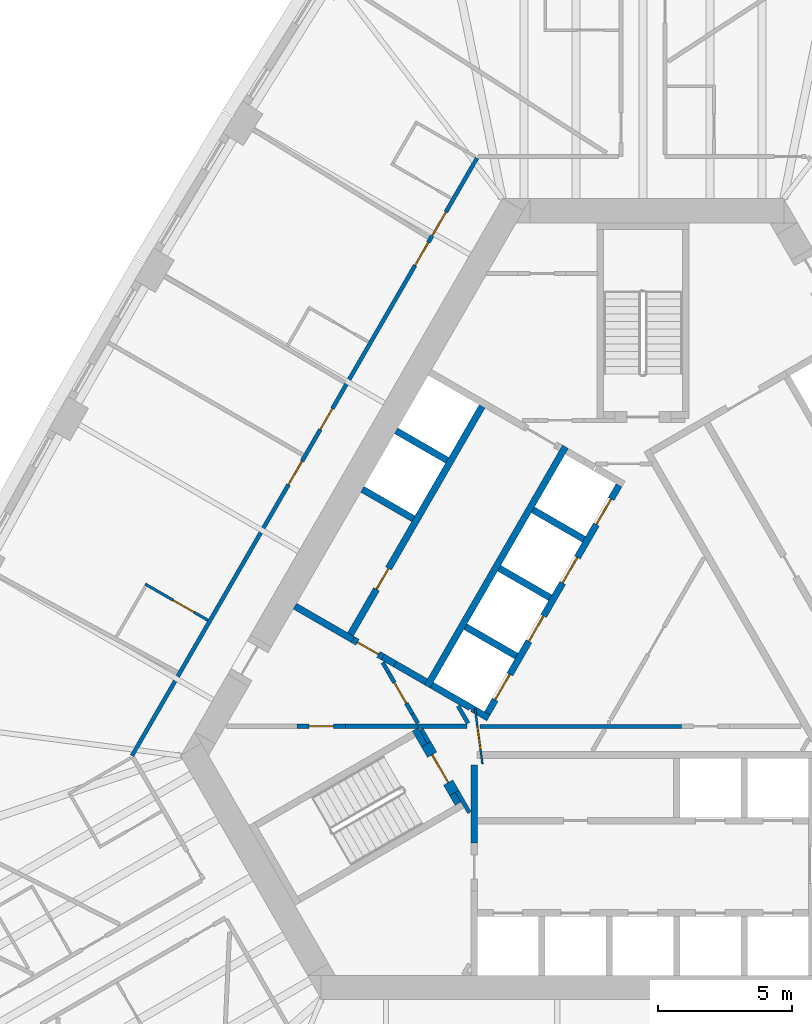
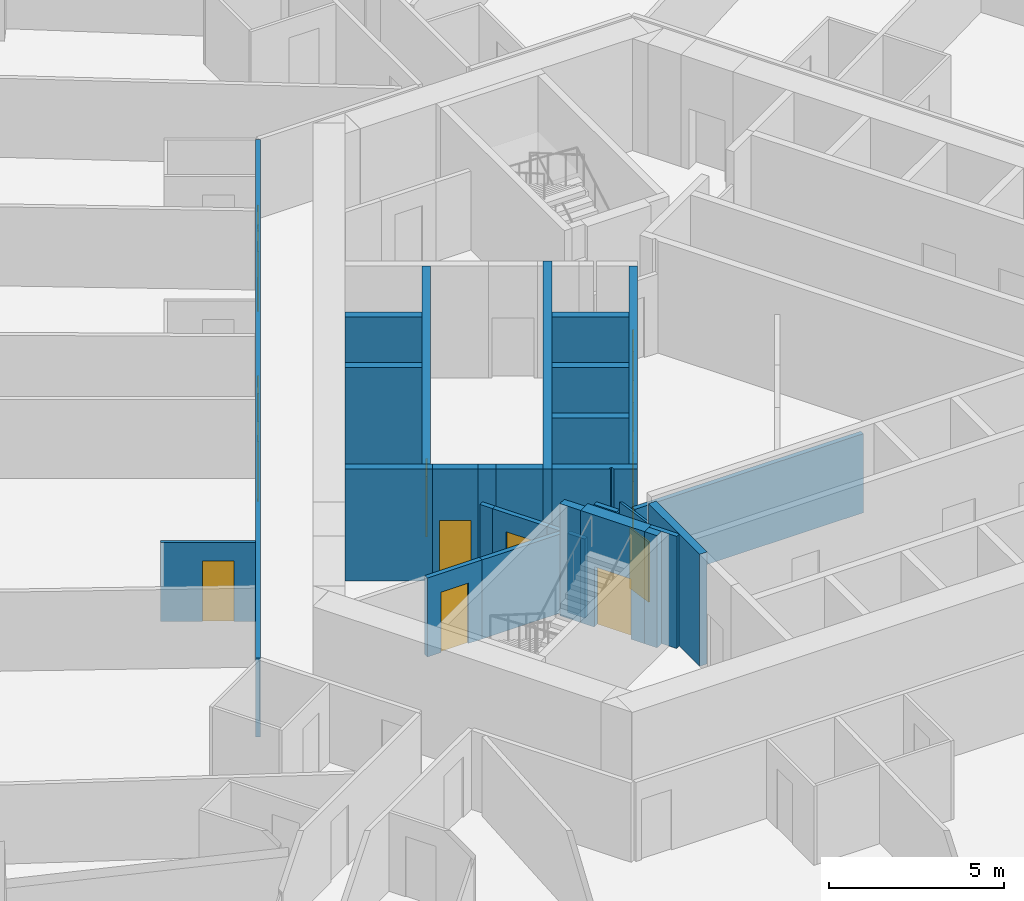
# One storey, part 5 of 13: 30 walls, 15 doors, 15 openings.
"""IFC4 building model written with IfcOpenShell, lengths in metres."""

from ifc_helpers import new_model, si_unit, direction, frame, frame_2d, origin, place, context, subcontext, project, spatial, polyline, rectangle, outline, extrude, material, layer, layer_set, type_object, element, fill, save


model = new_model("IFC4")

# Units and contexts
model_context = context("Model", 3, precision=1e-05, world=origin(), true_north=direction((0.0, 1.0)))
body_context = subcontext(model_context, "Body", "Model", "MODEL_VIEW")
ifc_project = project(units=[si_unit("LENGTHUNIT", "METRE"), si_unit("AREAUNIT", "SQUARE_METRE"), si_unit("VOLUMEUNIT", "CUBIC_METRE"), si_unit("PLANEANGLEUNIT", "RADIAN"), si_unit("MASSUNIT", "GRAM", prefix="KILO")], contexts=[model_context])

# Site, building, storey
site_placement = place(None, origin())
site = spatial("IfcSite", under=ifc_project, at=site_placement, CompositionType="ELEMENT")
building_placement = place(site_placement, origin())
building = spatial("IfcBuilding", under=site, at=building_placement, Name="Mestral Congress Tower", CompositionType="ELEMENT")
storey_placement = place(building_placement, frame((0.0, 0.0, 58.800048828125)))
storey = spatial("IfcBuildingStorey", under=building, at=storey_placement, Name="L13", CompositionType="ELEMENT", Elevation=58.800048828125)

# Walls
ifc_material_1 = material(Name="Fire-rated board partition")
ifc_layer_1 = layer(ifc_material_1, 0.14990234375)
ifc_layer_set_1 = layer_set([ifc_layer_1], Name="Fire-rated board partition")
wall_type_1 = type_object("IfcWallType", Name="Core partition 150", PredefinedType="PARTITIONING", material=ifc_layer_set_1)
wall_1_placement = place(storey_placement, frame((-8.394775390625, -2.800048828125, 0.0), z_axis=(0.0, 0.0, 1.0), x_axis=(1.0, 0.0, 0.0)))
element("IfcWall", 1, at=wall_1_placement, inside=storey, type_object=wall_type_1, Name="L13 core wall", PredefinedType="PARTITIONING", context=body_context, shape_type="SweptSolid", body=[
    extrude(rectangle(XDim=1.828125, YDim=0.14990234375, at=frame_2d((0.9140625, 0.0))), origin(), (0.0, 0.0, 1.0), 2.75),
])
wall_2_placement = place(storey_placement, frame((-11.11474609375, -2.800048828125, 0.0), z_axis=(0.0, 0.0, 1.0), x_axis=(1.0, 0.0, 0.0)))
element("IfcWall", 2, at=wall_2_placement, inside=storey, type_object=wall_type_1, Name="L13 core wall", PredefinedType="PARTITIONING", context=body_context, shape_type="SweptSolid", body=[
    extrude(rectangle(XDim=2.7080078125, YDim=0.14990234375, at=frame_2d((1.35400390625, 0.0))), origin(), (0.0, 0.0, 1.0), 2.75),
])
wall_3_placement = place(storey_placement, frame((-6.53076171875, -2.68896484375, 0.0), z_axis=(0.0, 0.0, 1.0), x_axis=(-0.499967446111, 0.866044197965, 0.0)))
element("IfcWall", 3, at=wall_3_placement, inside=storey, type_object=wall_type_1, Name="L13 core wall", PredefinedType="PARTITIONING", context=body_context, shape_type="SweptSolid", body=[
    extrude(rectangle(XDim=0.74755859375, YDim=0.14990234375, at=frame_2d((0.373779296875, 0.0))), origin(), (0.0, 0.0, 1.0), 2.75),
])
wall_4_placement = place(storey_placement, frame((-7.989990234375, -3.41162109375, 0.0), z_axis=(0.0, 0.0, 1.0), x_axis=(-0.500193841991, 0.86591346013, 0.0)))
element("IfcWall", 4, at=wall_4_placement, inside=storey, type_object=wall_type_1, Name="L13 core wall", PredefinedType="PARTITIONING", context=body_context, shape_type="SweptSolid", body=[
    extrude(rectangle(XDim=0.582763671875, YDim=0.14990234375, at=frame_2d((0.29150390625, 0.0))), origin(), (0.0, 0.0, 1.0), 2.75),
])
wall_5_placement = place(storey_placement, frame((-8.612060546875, -2.33349609375, 0.0), z_axis=(0.0, 0.0, 1.0), x_axis=(0.500248216681, -0.86588204838, 0.0)))
element("IfcWall", 5, at=wall_5_placement, inside=storey, type_object=wall_type_1, Name="L13 core wall", PredefinedType="PARTITIONING", context=body_context, shape_type="SweptSolid", body=[
    extrude(rectangle(XDim=0.415283203125, YDim=0.14990234375, at=frame_2d((0.20751953125, 0.0))), origin(), (0.0, 0.0, 1.0), 2.75),
])
wall_6_placement = place(storey_placement, frame((-6.086181640625, -2.801025390625, 0.0), z_axis=(0.0, 0.0, 1.0), x_axis=(1.0, 0.0, 0.0)))
element("IfcWall", 6, at=wall_6_placement, inside=storey, type_object=wall_type_1, Name="L13 core wall", PredefinedType="PARTITIONING", context=body_context, shape_type="SweptSolid", body=[
    extrude(rectangle(XDim=7.5244140625, YDim=0.14990234375, at=frame_2d((3.76220703125, 0.0))), origin(), (0.0, 0.0, 1.0), 2.75),
])
wall_7_placement = place(storey_placement, frame((-9.511962890625, -0.774658203125, 0.0), z_axis=(0.0, 0.0, 1.0), x_axis=(-0.500080620599, 0.865978852456, 0.0)))
element("IfcWall", 7, at=wall_7_placement, inside=storey, type_object=wall_type_1, Name="L13 core wall", PredefinedType="PARTITIONING", context=body_context, shape_type="SweptSolid", body=[
    extrude(rectangle(XDim=0.4130859375, YDim=0.14990234375, at=frame_2d((0.20654296875, 0.0))), origin(), (0.0, 0.0, 1.0), 2.75),
])

# Wall, opening, door
wall_8_placement = place(storey_placement, frame((-12.914794921875, -2.800048828125, 0.0), z_axis=(0.0, 0.0, 1.0), x_axis=(1.0, 0.0, 0.0)))
wall_8 = element("IfcWall", 8, at=wall_8_placement, inside=storey, type_object=wall_type_1, Name="L13 door wall", PredefinedType="PARTITIONING", context=body_context, shape_type="SweptSolid", body=[
    extrude(rectangle(XDim=1.7998046875, YDim=0.14990234375, at=frame_2d((0.89990234375, 0.0))), origin(), (0.0, 0.0, 1.0), 2.75),
])
opening_1_placement = place(wall_8_placement, frame((0.449951171875, 0.0, 0.0)))
opening_1 = element("IfcOpeningElement", 9, at=opening_1_placement, cuts=wall_8, Name="Opening SD-HUB1", PredefinedType="OPENING", context=body_context, shape_type="SweptSolid", body=[
    extrude(rectangle(XDim=0.89990234375, YDim=2.10009765625, at=frame_2d((0.449951171875, 1.050048828125))), frame((0.0, 0.0849609375, 0.0), z_axis=(0.0, -1.0, 0.0), x_axis=(1.0, 0.0, 0.0)), (0.0, 0.0, 1.0), 0.169921875),
])
ifc_material_2 = material(Name="Fire-rated steel door set", Category="steel")
door_type_1 = type_object("IfcDoorType", Name="Core door SR 900x2100", OperationType="SINGLE_SWING_LEFT", PredefinedType="DOOR", material=ifc_material_2)
door_1_placement = place(opening_1_placement, origin())
door_1 = element("IfcDoor", 10, at=door_1_placement, inside=storey, type_object=door_type_1, Name="Door SD-HUB1", OperationType="SINGLE_SWING_LEFT", OverallHeight=2.10009765625, OverallWidth=0.89990234375, PredefinedType="DOOR", context=body_context, shape_type="SweptSolid", body=[
    extrude(rectangle(XDim=0.89990234375, YDim=2.10009765625, at=frame_2d((0.449951171875, 1.050048828125))), frame((0.0, 0.02490234375, 0.0), z_axis=(0.0, -1.0, 0.0), x_axis=(1.0, 0.0, 0.0)), (0.0, 0.0, 1.0), 0.050048828125),
])
fill(opening_1, door_1)

wall_9_placement = place(storey_placement, frame((-8.612060546875, -2.33349609375, 0.0), z_axis=(0.0, 0.0, 1.0), x_axis=(-0.499961193289, 0.866047807691, 0.0)))
wall_9 = element("IfcWall", 11, at=wall_9_placement, inside=storey, type_object=wall_type_1, Name="L13 door wall", PredefinedType="PARTITIONING", context=body_context, shape_type="SweptSolid", body=[
    extrude(rectangle(XDim=1.800048828125, YDim=0.14990234375, at=frame_2d((0.89990234375, 0.0))), origin(), (0.0, 0.0, 1.0), 2.75),
])
opening_2_placement = place(wall_9_placement, frame((0.449951171875, 0.0, 0.0)))
opening_2 = element("IfcOpeningElement", 12, at=opening_2_placement, cuts=wall_9, Name="Opening SD-HUB5", PredefinedType="OPENING", context=body_context, shape_type="SweptSolid", body=[
    extrude(rectangle(XDim=0.89990234375, YDim=2.10009765625, at=frame_2d((0.449951171875, 1.050048828125))), frame((0.0, 0.0849609375, 0.0), z_axis=(0.0, -1.0, 0.0), x_axis=(1.0, 0.0, 0.0)), (0.0, 0.0, 1.0), 0.169921875),
])
door_2_placement = place(opening_2_placement, origin())
door_2 = element("IfcDoor", 13, at=door_2_placement, inside=storey, type_object=door_type_1, Name="Door SD-HUB5", OperationType="SINGLE_SWING_LEFT", OverallHeight=2.10009765625, OverallWidth=0.89990234375, PredefinedType="DOOR", context=body_context, shape_type="SweptSolid", body=[
    extrude(rectangle(XDim=0.89990234375, YDim=2.10009765625, at=frame_2d((0.449951171875, 1.050048828125))), frame((0.0, 0.02490234375, 0.0), z_axis=(0.0, -1.0, 0.0), x_axis=(1.0, 0.0, 0.0)), (0.0, 0.0, 1.0), 0.050048828125),
])
fill(opening_2, door_2)

ifc_layer_2 = layer(ifc_material_1, 0.075927734375)
ifc_layer_set_2 = layer_set([ifc_layer_2], Name="Fire-rated board partition")
wall_type_2 = type_object("IfcWallType", Name="Core partition 150 door-wall 76", PredefinedType="PARTITIONING", material=ifc_layer_set_2)
wall_10_placement = place(storey_placement, frame((-5.99462890625, -4.213134765625, 0.0), z_axis=(0.0, 0.0, 1.0), x_axis=(-0.132072335448, 0.991240081014, 0.0)))
wall_10 = element("IfcWall", 14, at=wall_10_placement, inside=storey, type_object=wall_type_2, Name="L13 door wall", PredefinedType="PARTITIONING", context=body_context, shape_type="SweptSolid", body=[
    extrude(rectangle(XDim=2.099853515625, YDim=0.07568359375, at=frame_2d((1.0498046875, 0.0))), origin(), (0.0, 0.0, 1.0), 2.75),
])
opening_3_placement = place(wall_10_placement, frame((0.550048828125, 0.0, 0.0)))
opening_3 = element("IfcOpeningElement", 15, at=opening_3_placement, cuts=wall_10, Name="Opening CD3-HUB4", PredefinedType="OPENING", context=body_context, shape_type="SweptSolid", body=[
    extrude(rectangle(XDim=0.89990234375, YDim=2.10009765625, at=frame_2d((0.449951171875, 1.050048828125))), frame((0.0, 0.0478515625, 0.0), z_axis=(0.0, -1.0, 0.0), x_axis=(1.0, 0.0, 0.0)), (0.0, 0.0, 1.0), 0.095703125),
])
door_type_2 = type_object("IfcDoorType", Name="Core door CD 900x2100", OperationType="SINGLE_SWING_LEFT", PredefinedType="DOOR", material=ifc_material_2)
door_3_placement = place(opening_3_placement, origin())
door_3 = element("IfcDoor", 16, at=door_3_placement, inside=storey, type_object=door_type_2, Name="Door CD3-HUB4", OperationType="SINGLE_SWING_LEFT", OverallHeight=2.10009765625, OverallWidth=0.89990234375, PredefinedType="DOOR", context=body_context, shape_type="SweptSolid", body=[
    extrude(rectangle(XDim=0.89990234375, YDim=2.10009765625, at=frame_2d((0.449951171875, 1.050048828125))), frame((0.0, 0.02490234375, 0.0), z_axis=(0.0, -1.0, 0.0), x_axis=(1.0, 0.0, 0.0)), (0.0, 0.0, 1.0), 0.050048828125),
])
fill(opening_3, door_3)

ifc_material_3 = material(Name="Gypsum board partition on metal studs with mineral wool", Category="composite")
ifc_layer_3 = layer(ifc_material_3, 0.10009765625)
ifc_layer_set_3 = layer_set([ifc_layer_3], Name="Gypsum board partition on metal studs with mineral wool")
wall_type_3 = type_object("IfcWallType", Name="Hotel partition wall 100", PredefinedType="PARTITIONING", material=ifc_layer_set_3)
wall_11_placement = place(storey_placement, frame((-16.247314453125, 1.158935546875, 0.0), z_axis=(0.0, 0.0, 1.0), x_axis=(-0.866059108428, 0.4999416173, 0.0)))
wall_11 = element("IfcWall", 17, at=wall_11_placement, inside=storey, type_object=wall_type_3, Name="L13-h-pod23a", PredefinedType="PARTITIONING", context=body_context, shape_type="SweptSolid", body=[
    extrude(rectangle(XDim=2.699951171875, YDim=0.10009765625, at=frame_2d((1.35009765625, 0.0))), origin(), (0.0, 0.0, 1.0), 2.75),
])
opening_4_placement = place(wall_11_placement, frame((0.60009765625, 0.0, 0.0)))
opening_4 = element("IfcOpeningElement", 18, at=opening_4_placement, cuts=wall_11, Name="Opening H03-044", PredefinedType="OPENING", context=body_context, shape_type="SweptSolid", body=[
    extrude(rectangle(XDim=0.89990234375, YDim=2.10009765625, at=frame_2d((0.449951171875, 1.050048828125))), frame((0.0, 0.06005859375, 0.0), z_axis=(0.0, -1.0, 0.0), x_axis=(1.0, 0.0, 0.0)), (0.0, 0.0, 1.0), 0.1201171875),
])
ifc_material_4 = material(Name="Timber veneer door leaf in timber frame", Category="wood")
door_type_3 = type_object("IfcDoorType", Name="Bathroom door 900", OperationType="SINGLE_SWING_LEFT", PredefinedType="DOOR", material=ifc_material_4)
door_4_placement = place(opening_4_placement, origin())
door_4 = element("IfcDoor", 19, at=door_4_placement, inside=storey, type_object=door_type_3, Name="L13-h-d044", OperationType="SINGLE_SWING_LEFT", OverallHeight=2.10009765625, OverallWidth=0.89990234375, PredefinedType="DOOR", context=body_context, shape_type="SweptSolid", body=[
    extrude(rectangle(XDim=0.89990234375, YDim=2.10009765625, at=frame_2d((0.449951171875, 1.050048828125))), frame((0.0, 0.02490234375, 0.0), z_axis=(0.0, -1.0, 0.0), x_axis=(1.0, 0.0, 0.0)), (0.0, 0.0, 1.0), 0.050048828125),
])
fill(opening_4, door_4)

# Wall, openings, doors
ifc_layer_4 = layer(ifc_material_3, 0.14990234375)
ifc_layer_set_4 = layer_set([ifc_layer_4], Name="Gypsum board partition on metal studs with mineral wool")
wall_type_4 = type_object("IfcWallType", Name="Hotel partition wall 150", PredefinedType="PARTITIONING", material=ifc_layer_set_4)
wall_12_placement = place(storey_placement, frame((-19.081298828125, -3.89990234375, 0.0), z_axis=(0.0, 0.0, 1.0), x_axis=(0.499998313975, 0.866026377209, 0.0)))
wall_12 = element("IfcWall", 20, at=wall_12_placement, inside=storey, type_object=wall_type_4, Name="L13-h-cw08", PredefinedType="PARTITIONING", context=body_context, shape_type="SweptSolid", body=[
    extrude(rectangle(XDim=25.76611328125, YDim=0.14990234375, at=frame_2d((12.883056640625, 0.0))), origin(), (0.0, 0.0, 1.0), 2.75),
])
opening_5_placement = place(wall_12_placement, frame((22.4453125, 0.0, 0.0)))
opening_5 = element("IfcOpeningElement", 21, at=opening_5_placement, cuts=wall_12, Name="Opening H03-038", PredefinedType="OPENING", context=body_context, shape_type="SweptSolid", body=[
    extrude(rectangle(XDim=1.0, YDim=2.10009765625, at=frame_2d((0.5, 1.050048828125))), frame((0.0, 0.0849609375, 0.0), z_axis=(0.0, -1.0, 0.0), x_axis=(1.0, 0.0, 0.0)), (0.0, 0.0, 1.0), 0.169921875),
])
opening_6_placement = place(wall_12_placement, frame((21.13818359375, 0.0, 0.0)))
opening_6 = element("IfcOpeningElement", 22, at=opening_6_placement, cuts=wall_12, Name="Opening H03-040", PredefinedType="OPENING", context=body_context, shape_type="SweptSolid", body=[
    extrude(rectangle(XDim=1.0, YDim=2.10009765625, at=frame_2d((0.5, 1.050048828125))), frame((0.0, 0.0849609375, 0.0), z_axis=(0.0, -1.0, 0.0), x_axis=(1.0, 0.0, 0.0)), (0.0, 0.0, 1.0), 0.169921875),
])
opening_7_placement = place(wall_12_placement, frame((14.06640625, 0.0, 0.0)))
opening_7 = element("IfcOpeningElement", 23, at=opening_7_placement, cuts=wall_12, Name="Opening H03-042", PredefinedType="OPENING", context=body_context, shape_type="SweptSolid", body=[
    extrude(rectangle(XDim=0.89990234375, YDim=2.10009765625, at=frame_2d((0.449951171875, 1.050048828125))), frame((0.0, 0.0849609375, 0.0), z_axis=(0.0, -1.0, 0.0), x_axis=(1.0, 0.0, 0.0)), (0.0, 0.0, 1.0), 0.169921875),
])
opening_8_placement = place(wall_12_placement, frame((11.692626953125, 0.0, 0.0)))
opening_8 = element("IfcOpeningElement", 24, at=opening_8_placement, cuts=wall_12, Name="Opening H03-043", PredefinedType="OPENING", context=body_context, shape_type="SweptSolid", body=[
    extrude(rectangle(XDim=1.0, YDim=2.10009765625, at=frame_2d((0.5, 1.050048828125))), frame((0.0, 0.0849609375, 0.0), z_axis=(0.0, -1.0, 0.0), x_axis=(1.0, 0.0, 0.0)), (0.0, 0.0, 1.0), 0.169921875),
])
ifc_material_5 = material(Name="Timber veneer door leaf in metal frame", Category="wood")
door_type_4 = type_object("IfcDoorType", Name="Guest room entrance door 1000", OperationType="SINGLE_SWING_LEFT", PredefinedType="DOOR", material=ifc_material_5)
door_5_placement = place(opening_5_placement, origin())
door_5 = element("IfcDoor", 25, at=door_5_placement, inside=storey, type_object=door_type_4, Name="L13-h-d038", OperationType="SINGLE_SWING_LEFT", OverallHeight=2.10009765625, OverallWidth=1.0, PredefinedType="DOOR", context=body_context, shape_type="SweptSolid", body=[
    extrude(rectangle(XDim=1.0, YDim=2.10009765625, at=frame_2d((0.5, 1.050048828125))), frame((0.0, 0.02490234375, 0.0), z_axis=(0.0, -1.0, 0.0), x_axis=(1.0, 0.0, 0.0)), (0.0, 0.0, 1.0), 0.050048828125),
])
fill(opening_5, door_5)
door_6_placement = place(opening_6_placement, origin())
door_6 = element("IfcDoor", 26, at=door_6_placement, inside=storey, type_object=door_type_4, Name="L13-h-d040", OperationType="SINGLE_SWING_RIGHT", OverallHeight=2.10009765625, OverallWidth=1.0, PredefinedType="DOOR", context=body_context, shape_type="SweptSolid", body=[
    extrude(rectangle(XDim=1.0, YDim=2.10009765625, at=frame_2d((0.5, 1.050048828125))), frame((0.0, 0.02490234375, 0.0), z_axis=(0.0, -1.0, 0.0), x_axis=(1.0, 0.0, 0.0)), (0.0, 0.0, 1.0), 0.050048828125),
])
fill(opening_6, door_6)
door_7_placement = place(opening_8_placement, origin())
door_7 = element("IfcDoor", 27, at=door_7_placement, inside=storey, type_object=door_type_4, Name="L13-h-d043", OperationType="SINGLE_SWING_RIGHT", OverallHeight=2.10009765625, OverallWidth=1.0, PredefinedType="DOOR", context=body_context, shape_type="SweptSolid", body=[
    extrude(rectangle(XDim=1.0, YDim=2.10009765625, at=frame_2d((0.5, 1.050048828125))), frame((0.0, 0.02490234375, 0.0), z_axis=(0.0, -1.0, 0.0), x_axis=(1.0, 0.0, 0.0)), (0.0, 0.0, 1.0), 0.050048828125),
])
fill(opening_8, door_7)
door_type_5 = type_object("IfcDoorType", Name="Service room door 900", OperationType="SINGLE_SWING_LEFT", PredefinedType="DOOR", material=ifc_material_5)
door_8_placement = place(opening_7_placement, origin())
door_8 = element("IfcDoor", 28, at=door_8_placement, inside=storey, type_object=door_type_5, Name="L13-h-d042", OperationType="SINGLE_SWING_RIGHT", OverallHeight=2.10009765625, OverallWidth=0.89990234375, PredefinedType="DOOR", context=body_context, shape_type="SweptSolid", body=[
    extrude(rectangle(XDim=0.89990234375, YDim=2.10009765625, at=frame_2d((0.449951171875, 1.050048828125))), frame((0.0, 0.02490234375, 0.0), z_axis=(0.0, -1.0, 0.0), x_axis=(1.0, 0.0, 0.0)), (0.0, 0.0, 1.0), 0.050048828125),
])
fill(opening_7, door_8)

# Walls
ifc_material_6 = material(Name="Concrete C60/75", Category="concrete")
ifc_layer_5 = layer(ifc_material_6, 0.25)
ifc_layer_set_5 = layer_set([ifc_layer_5], Name="Concrete C60/75")
wall_type_5 = type_object("IfcWallType", Name="Shaft wall RC 250", PredefinedType="SOLIDWALL", material=ifc_layer_set_5)
wall_13_placement = place(storey_placement, frame((-6.300048828125, -4.239990234375, 0.0), z_axis=(0.0, 0.0, 1.0), x_axis=(0.0, -1.0, 0.0)))
element("IfcWall", 29, at=wall_13_placement, inside=storey, type_object=wall_type_5, Name="L13 core wall", PredefinedType="SOLIDWALL", context=body_context, shape_type="SweptSolid", body=[
    extrude(rectangle(XDim=2.914306640625, YDim=0.25, at=frame_2d((1.45703125, 0.0))), origin(), (0.0, 0.0, 1.0), 3.89990234375),
])
wall_14_placement = place(storey_placement, frame((-8.06005859375, -1.310546875, 0.0), z_axis=(0.0, 0.0, 1.0), x_axis=(0.50000273126, 0.866023826885, 0.0)))
element("IfcWall", 30, at=wall_14_placement, inside=storey, type_object=wall_type_5, Name="L13 core wall", PredefinedType="SOLIDWALL", context=body_context, shape_type="SweptSolid", body=[
    extrude(rectangle(XDim=10.330078125, YDim=0.25, at=frame_2d((5.1650390625, 0.0))), origin(), (0.0, 0.0, 1.0), 3.89990234375),
])
for number, where, z_axis, x_axis, name in (
    (31, (-2.2041015625, 4.182373046875, 0.0), (0.0, 0.0, 1.0), (-0.866008176907, 0.50002983664, 0.0), "L13 core wall"),
    (32, (-5.369384765625, 3.10009765625, 0.0), (0.0, 0.0, 1.0), (0.866008176907, -0.50002983664, 0.0), "L13 core wall"),
    (33, (-4.72412109375, -0.182373046875, 0.0), (0.0, 0.0, 1.0), (-0.866008176907, 0.50002983664, 0.0), "L13 core wall"),
):
    element("IfcWall", number, at=place(storey_placement, frame(where, z_axis=z_axis, x_axis=x_axis)), inside=storey, type_object=wall_type_5, Name=name, PredefinedType="SOLIDWALL", context=body_context, shape_type="SweptSolid", body=[
        extrude(rectangle(XDim=2.199951171875, YDim=0.25, at=frame_2d((1.10009765625, 0.0))), origin(), (0.0, 0.0, 1.0), 3.89990234375),
    ])
wall_15_placement = place(storey_placement, origin())
element("IfcWall", 34, at=wall_15_placement, inside=storey, type_object=wall_type_5, Name="L13 core wall", PredefinedType="SOLIDWALL", context=body_context, shape_type="SweptSolid", body=[
    extrude(outline(polyline([(-5.921630859375, -2.256591796875), (-5.921630859375, -2.256591796875), (-5.705078125, -2.381591796875), (-5.830078125, -2.597900390625), (-6.41845703125, -2.25830078125), (-6.4326171875, -2.153076171875), (-6.4326171875, -2.15283203125), (-6.4326171875, -2.15283203125), (-6.5078125, -2.162841796875), (-6.5078125, -2.162841796875), (-6.5078125, -2.1630859375), (-6.50146484375, -2.21044921875), (-7.951904296875, -1.373046875), (-7.826904296875, -1.156494140625), (-5.921630859375, -2.256591796875)])), origin(), (0.0, 0.0, 1.0), 3.89990234375),
])
wall_16_placement = place(storey_placement, frame((-9.7080078125, -0.21484375, 0.0), z_axis=(0.0, 0.0, 1.0), x_axis=(0.866113839764, -0.499846793097, 0.0)))
element("IfcWall", 35, at=wall_16_placement, inside=storey, type_object=wall_type_5, Name="L13 core wall", PredefinedType="SOLIDWALL", context=body_context, shape_type="SweptSolid", body=[
    extrude(rectangle(XDim=0.510009765625, YDim=0.25, at=frame_2d((0.2548828125, 0.0))), origin(), (0.0, 0.0, 1.0), 3.89990234375),
])
wall_17_placement = place(storey_placement, frame((-12.998779296875, 1.685302734375, 0.0), z_axis=(0.0, 0.0, 1.0), x_axis=(0.865996765544, -0.500049599607, 0.0)))
element("IfcWall", 36, at=wall_17_placement, inside=storey, type_object=wall_type_5, Name="L13 core wall", PredefinedType="SOLIDWALL", context=body_context, shape_type="SweptSolid", body=[
    extrude(rectangle(XDim=2.497802734375, YDim=0.25, at=frame_2d((1.2490234375, 0.0))), origin(), (0.0, 0.0, 1.0), 3.89990234375),
])
wall_18_placement = place(storey_placement, frame((-9.2646484375, -0.470703125, 0.0), z_axis=(0.0, 0.0, 1.0), x_axis=(0.865954634268, -0.500122556369, 0.0)))
element("IfcWall", 37, at=wall_18_placement, inside=storey, type_object=wall_type_5, Name="L13 core wall", PredefinedType="SOLIDWALL", context=body_context, shape_type="SweptSolid", body=[
    extrude(rectangle(XDim=1.338134765625, YDim=0.25, at=frame_2d((0.6689453125, 0.0))), origin(), (0.0, 0.0, 1.0), 3.89990234375),
])
for number, where, z_axis, x_axis, name in (
    (38, (-8.57373046875, 4.949951171875, 0.0), (0.0, 0.0, 1.0), (-0.866008176907, 0.50002983664, 0.0), "L13 core wall"),
    (39, (-7.313720703125, 7.13232421875, 0.0), (0.0, 0.0, 1.0), (-0.866008176907, 0.50002983664, 0.0), "L13 core wall"),
):
    element("IfcWall", number, at=place(storey_placement, frame(where, z_axis=z_axis, x_axis=x_axis)), inside=storey, type_object=wall_type_5, Name=name, PredefinedType="SOLIDWALL", context=body_context, shape_type="SweptSolid", body=[
        extrude(rectangle(XDim=2.199951171875, YDim=0.25, at=frame_2d((1.10009765625, 0.0))), origin(), (0.0, 0.0, 1.0), 3.89990234375),
    ])

# Wall, opening, door
wall_19_placement = place(storey_placement, frame((-6.0078125, 9.14404296875, 0.0), z_axis=(0.0, 0.0, 1.0), x_axis=(-0.500006956611, -0.866021387346, 0.0)))
wall_19 = element("IfcWall", 40, at=wall_19_placement, inside=storey, type_object=wall_type_5, Name="L13 door wall", PredefinedType="SOLIDWALL", context=body_context, shape_type="SweptSolid", body=[
    extrude(rectangle(XDim=9.829833984375, YDim=0.25, at=frame_2d((4.9150390625, 0.0))), origin(), (0.0, 0.0, 1.0), 3.89990234375),
])
opening_9_placement = place(wall_19_placement, frame((6.985107421875, 0.0, 0.0)))
opening_9 = element("IfcOpeningElement", 41, at=opening_9_placement, cuts=wall_19, Name="Opening SR-NWA2", PredefinedType="OPENING", context=body_context, shape_type="SweptSolid", body=[
    extrude(rectangle(XDim=0.89990234375, YDim=2.10009765625, at=frame_2d((0.449951171875, 1.050048828125))), frame((0.0, 0.135009765625, 0.0), z_axis=(0.0, -1.0, 0.0), x_axis=(1.0, 0.0, 0.0)), (0.0, 0.0, 1.0), 0.27001953125),
])
door_9_placement = place(opening_9_placement, origin())
door_9 = element("IfcDoor", 42, at=door_9_placement, inside=storey, type_object=door_type_1, Name="Door SR-NWA2", OperationType="SINGLE_SWING_LEFT", OverallHeight=2.10009765625, OverallWidth=0.89990234375, PredefinedType="DOOR", context=body_context, shape_type="SweptSolid", body=[
    extrude(rectangle(XDim=0.89990234375, YDim=2.10009765625, at=frame_2d((0.449951171875, 1.050048828125))), frame((0.0, 0.02490234375, 0.0), z_axis=(0.0, -1.0, 0.0), x_axis=(1.0, 0.0, 0.0)), (0.0, 0.0, 1.0), 0.050048828125),
])
fill(opening_9, door_9)

# Wall, openings, doors
wall_20_placement = place(storey_placement, frame((-0.898193359375, 6.194091796875, 0.0), z_axis=(0.0, 0.0, 1.0), x_axis=(-0.499996202215, -0.866027596426, 0.0)))
wall_20 = element("IfcWall", 43, at=wall_20_placement, inside=storey, type_object=wall_type_5, Name="L13 door wall", PredefinedType="SOLIDWALL", context=body_context, shape_type="SweptSolid", body=[
    extrude(rectangle(XDim=9.830078125, YDim=0.25, at=frame_2d((4.9150390625, 0.0))), origin(), (0.0, 0.0, 1.0), 3.89990234375),
])
opening_10_placement = place(wall_20_placement, frame((0.5849609375, 0.0, 0.0)))
opening_10 = element("IfcOpeningElement", 44, at=opening_10_placement, cuts=wall_20, Name="Opening LD-NWB1", PredefinedType="OPENING", context=body_context, shape_type="SweptSolid", body=[
    extrude(rectangle(XDim=1.10009765625, YDim=2.10009765625, at=frame_2d((0.550048828125, 1.050048828125))), frame((0.0, 0.135009765625, 0.0), z_axis=(0.0, -1.0, 0.0), x_axis=(1.0, 0.0, 0.0)), (0.0, 0.0, 1.0), 0.27001953125),
])
opening_11_placement = place(wall_20_placement, frame((3.10498046875, 0.0, 0.0)))
opening_11 = element("IfcOpeningElement", 45, at=opening_11_placement, cuts=wall_20, Name="Opening LD-NWB2", PredefinedType="OPENING", context=body_context, shape_type="SweptSolid", body=[
    extrude(rectangle(XDim=1.10009765625, YDim=2.10009765625, at=frame_2d((0.550048828125, 1.050048828125))), frame((0.0, 0.135009765625, 0.0), z_axis=(0.0, -1.0, 0.0), x_axis=(1.0, 0.0, 0.0)), (0.0, 0.0, 1.0), 0.27001953125),
])
opening_12_placement = place(wall_20_placement, frame((5.625, 0.0, 0.0)))
opening_12 = element("IfcOpeningElement", 46, at=opening_12_placement, cuts=wall_20, Name="Opening LD-NWB3", PredefinedType="OPENING", context=body_context, shape_type="SweptSolid", body=[
    extrude(rectangle(XDim=1.10009765625, YDim=2.10009765625, at=frame_2d((0.550048828125, 1.050048828125))), frame((0.0, 0.135009765625, 0.0), z_axis=(0.0, -1.0, 0.0), x_axis=(1.0, 0.0, 0.0)), (0.0, 0.0, 1.0), 0.27001953125),
])
opening_13_placement = place(wall_20_placement, frame((8.14501953125, 0.0, 0.0)))
opening_13 = element("IfcOpeningElement", 47, at=opening_13_placement, cuts=wall_20, Name="Opening LD-NWB4", PredefinedType="OPENING", context=body_context, shape_type="SweptSolid", body=[
    extrude(rectangle(XDim=1.10009765625, YDim=2.10009765625, at=frame_2d((0.550048828125, 1.050048828125))), frame((0.0, 0.135009765625, 0.0), z_axis=(0.0, -1.0, 0.0), x_axis=(1.0, 0.0, 0.0)), (0.0, 0.0, 1.0), 0.27001953125),
])
door_type_6 = type_object("IfcDoorType", Name="Core door LD 1100x2100", OperationType="DOUBLE_DOOR_SLIDING", PredefinedType="DOOR", material=ifc_material_2)
door_10_placement = place(opening_10_placement, origin())
door_10 = element("IfcDoor", 48, at=door_10_placement, inside=storey, type_object=door_type_6, Name="Door LD-NWB1", OperationType="DOUBLE_DOOR_SLIDING", OverallHeight=2.10009765625, OverallWidth=1.10009765625, PredefinedType="DOOR", context=body_context, shape_type="SweptSolid", body=[
    extrude(rectangle(XDim=1.10009765625, YDim=2.10009765625, at=frame_2d((0.550048828125, 1.050048828125))), frame((0.0, 0.02490234375, 0.0), z_axis=(0.0, -1.0, 0.0), x_axis=(1.0, 0.0, 0.0)), (0.0, 0.0, 1.0), 0.050048828125),
])
fill(opening_10, door_10)
door_11_placement = place(opening_11_placement, origin())
door_11 = element("IfcDoor", 49, at=door_11_placement, inside=storey, type_object=door_type_6, Name="Door LD-NWB2", OperationType="DOUBLE_DOOR_SLIDING", OverallHeight=2.10009765625, OverallWidth=1.10009765625, PredefinedType="DOOR", context=body_context, shape_type="SweptSolid", body=[
    extrude(rectangle(XDim=1.10009765625, YDim=2.10009765625, at=frame_2d((0.550048828125, 1.050048828125))), frame((0.0, 0.02490234375, 0.0), z_axis=(0.0, -1.0, 0.0), x_axis=(1.0, 0.0, 0.0)), (0.0, 0.0, 1.0), 0.050048828125),
])
fill(opening_11, door_11)
door_12_placement = place(opening_12_placement, origin())
door_12 = element("IfcDoor", 50, at=door_12_placement, inside=storey, type_object=door_type_6, Name="Door LD-NWB3", OperationType="DOUBLE_DOOR_SLIDING", OverallHeight=2.10009765625, OverallWidth=1.10009765625, PredefinedType="DOOR", context=body_context, shape_type="SweptSolid", body=[
    extrude(rectangle(XDim=1.10009765625, YDim=2.10009765625, at=frame_2d((0.550048828125, 1.050048828125))), frame((0.0, 0.02490234375, 0.0), z_axis=(0.0, -1.0, 0.0), x_axis=(1.0, 0.0, 0.0)), (0.0, 0.0, 1.0), 0.050048828125),
])
fill(opening_12, door_12)
door_13_placement = place(opening_13_placement, origin())
door_13 = element("IfcDoor", 51, at=door_13_placement, inside=storey, type_object=door_type_6, Name="Door LD-NWB4", OperationType="DOUBLE_DOOR_SLIDING", OverallHeight=2.10009765625, OverallWidth=1.10009765625, PredefinedType="DOOR", context=body_context, shape_type="SweptSolid", body=[
    extrude(rectangle(XDim=1.10009765625, YDim=2.10009765625, at=frame_2d((0.550048828125, 1.050048828125))), frame((0.0, 0.02490234375, 0.0), z_axis=(0.0, -1.0, 0.0), x_axis=(1.0, 0.0, 0.0)), (0.0, 0.0, 1.0), 0.050048828125),
])
fill(opening_13, door_13)

# Wall, opening, door
wall_21_placement = place(storey_placement, frame((-9.7080078125, -0.215087890625, 0.0), z_axis=(0.0, 0.0, 1.0), x_axis=(-0.866004217611, 0.500036693733, 0.0)))
wall_21 = element("IfcWall", 52, at=wall_21_placement, inside=storey, type_object=wall_type_5, Name="L13 door wall", PredefinedType="SOLIDWALL", context=body_context, shape_type="SweptSolid", body=[
    extrude(rectangle(XDim=1.30029296875, YDim=0.25, at=frame_2d((0.650146484375, 0.0))), origin(), (0.0, 0.0, 1.0), 3.89990234375),
])
opening_14_placement = place(wall_21_placement, frame((0.199951171875, 0.0, 0.0)))
opening_14 = element("IfcOpeningElement", 53, at=opening_14_placement, cuts=wall_21, Name="Opening PD3", PredefinedType="OPENING", context=body_context, shape_type="SweptSolid", body=[
    extrude(rectangle(XDim=0.89990234375, YDim=2.10009765625, at=frame_2d((0.449951171875, 1.050048828125))), frame((0.0, 0.135009765625, 0.0), z_axis=(0.0, -1.0, 0.0), x_axis=(1.0, 0.0, 0.0)), (0.0, 0.0, 1.0), 0.27001953125),
])
door_type_7 = type_object("IfcDoorType", Name="Core door PD 900x2100", OperationType="SINGLE_SWING_LEFT", PredefinedType="DOOR", material=ifc_material_2)
door_14_placement = place(opening_14_placement, origin())
door_14 = element("IfcDoor", 54, at=door_14_placement, inside=storey, type_object=door_type_7, Name="Door PD3", OperationType="SINGLE_SWING_LEFT", OverallHeight=2.10009765625, OverallWidth=0.89990234375, PredefinedType="DOOR", context=body_context, shape_type="SweptSolid", body=[
    extrude(rectangle(XDim=0.89990234375, YDim=2.10009765625, at=frame_2d((0.449951171875, 1.050048828125))), frame((0.0, 0.02490234375, 0.0), z_axis=(0.0, -1.0, 0.0), x_axis=(1.0, 0.0, 0.0)), (0.0, 0.0, 1.0), 0.050048828125),
])
fill(opening_14, door_14)

# Walls
ifc_layer_6 = layer(ifc_material_6, 0.14990234375)
ifc_layer_set_6 = layer_set([ifc_layer_6], Name="Concrete C60/75")
wall_type_6 = type_object("IfcWallType", Name="Shaft wall RC 250 door-wall 150", PredefinedType="SOLIDWALL", material=ifc_layer_set_6)
wall_22_placement = place(storey_placement, frame((-6.48046875, -6.026611328125, 0.0), z_axis=(0.0, 0.0, 1.0), x_axis=(-0.499936960004, 0.866061796884, 0.0)))
element("IfcWall", 55, at=wall_22_placement, inside=storey, type_object=wall_type_6, Name="L13 core wall", PredefinedType="PARTITIONING", context=body_context, shape_type="SweptSolid", body=[
    extrude(rectangle(XDim=0.91943359375, YDim=0.14990234375, at=frame_2d((0.459716796875, 0.0))), origin(), (0.0, 0.0, 1.0), 3.89990234375),
])
ifc_layer_7 = layer(ifc_material_6, 0.25)
ifc_layer_set_7 = layer_set([ifc_layer_7], Name="Concrete C60/75")
wall_type_7 = type_object("IfcWallType", Name="Stair wall RC 250", PredefinedType="SOLIDWALL", material=ifc_layer_set_7)
wall_23_placement = place(storey_placement, frame((-8.162841796875, -3.51123046875, 0.0), z_axis=(0.0, 0.0, 1.0), x_axis=(-0.500206266495, 0.865906283012, 0.0)))
element("IfcWall", 56, at=wall_23_placement, inside=storey, type_object=wall_type_7, Name="L13 core wall", PredefinedType="SOLIDWALL", context=body_context, shape_type="SweptSolid", body=[
    extrude(rectangle(XDim=0.684326171875, YDim=0.25, at=frame_2d((0.34228515625, 0.0))), origin(), (0.0, 0.0, 1.0), 3.89990234375),
])
wall_24_placement = place(storey_placement, frame((-6.905029296875, -5.68994140625, 0.0), z_axis=(0.0, 0.0, 1.0), x_axis=(-0.499993700073, 0.866029041019, 0.0)))
element("IfcWall", 57, at=wall_24_placement, inside=storey, type_object=wall_type_7, Name="L13 core wall", PredefinedType="SOLIDWALL", context=body_context, shape_type="SweptSolid", body=[
    extrude(rectangle(XDim=0.41552734375, YDim=0.25, at=frame_2d((0.207763671875, 0.0))), origin(), (0.0, 0.0, 1.0), 3.89990234375),
])

# Wall, opening, door
ifc_layer_8 = layer(ifc_material_6, 0.39990234375)
ifc_layer_set_8 = layer_set([ifc_layer_8], Name="Concrete C60/75")
wall_type_8 = type_object("IfcWallType", Name="Stair wall RC 250 door-wall 400", PredefinedType="SOLIDWALL", material=ifc_layer_set_8)
wall_25_placement = place(storey_placement, frame((-8.097900390625, -3.473876953125, 0.0), z_axis=(0.0, 0.0, 1.0), x_axis=(0.49994051562, -0.866059744384, 0.0)))
wall_25 = element("IfcWall", 58, at=wall_25_placement, inside=storey, type_object=wall_type_8, Name="L13 door wall", PredefinedType="SOLIDWALL", context=body_context, shape_type="SweptSolid", body=[
    extrude(rectangle(XDim=2.099853515625, YDim=0.39990234375, at=frame_2d((1.0498046875, 0.0))), origin(), (0.0, 0.0, 1.0), 3.89990234375),
])
opening_15_placement = place(wall_25_placement, frame((0.449951171875, 0.0, 0.0)))
opening_15 = element("IfcOpeningElement", 59, at=opening_15_placement, cuts=wall_25, Name="Opening ST-D3", PredefinedType="OPENING", context=body_context, shape_type="SweptSolid", body=[
    extrude(rectangle(XDim=1.199951171875, YDim=2.10009765625, at=frame_2d((0.60009765625, 1.050048828125))), frame((0.0, 0.2099609375, 0.0), z_axis=(0.0, -1.0, 0.0), x_axis=(1.0, 0.0, 0.0)), (0.0, 0.0, 1.0), 0.419921875),
])
door_type_8 = type_object("IfcDoorType", Name="Core door ST 1200x2100", OperationType="SINGLE_SWING_LEFT", PredefinedType="DOOR", material=ifc_material_2)
door_15_placement = place(opening_15_placement, origin())
door_15 = element("IfcDoor", 60, at=door_15_placement, inside=storey, type_object=door_type_8, Name="Door ST-D3", OperationType="SINGLE_SWING_LEFT", OverallHeight=2.10009765625, OverallWidth=1.199951171875, PredefinedType="DOOR", context=body_context, shape_type="SweptSolid", body=[
    extrude(rectangle(XDim=1.199951171875, YDim=2.10009765625, at=frame_2d((0.60009765625, 1.050048828125))), frame((0.0, 0.02490234375, 0.0), z_axis=(0.0, -1.0, 0.0), x_axis=(1.0, 0.0, 0.0)), (0.0, 0.0, 1.0), 0.050048828125),
])
fill(opening_15, door_15)

save(model, "model.ifc")
